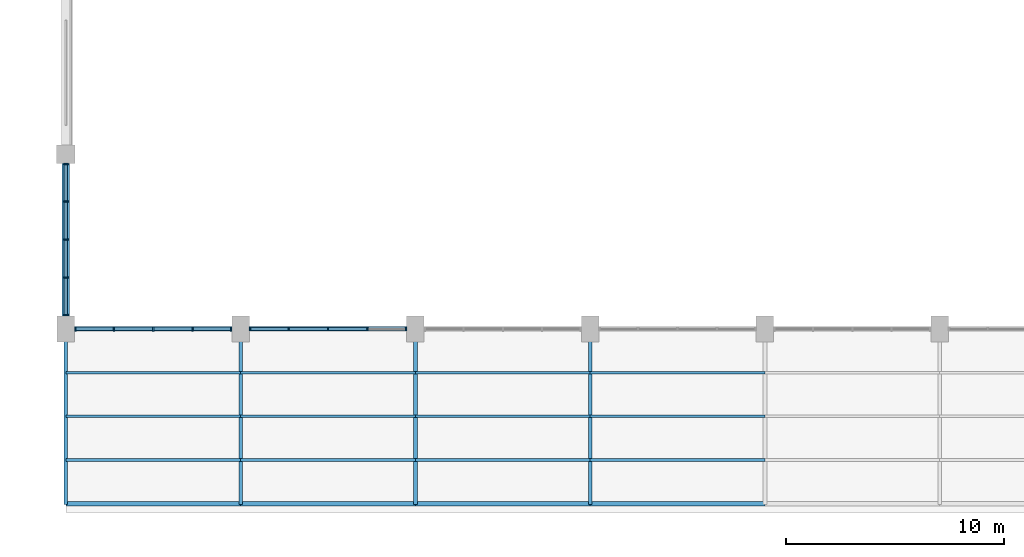
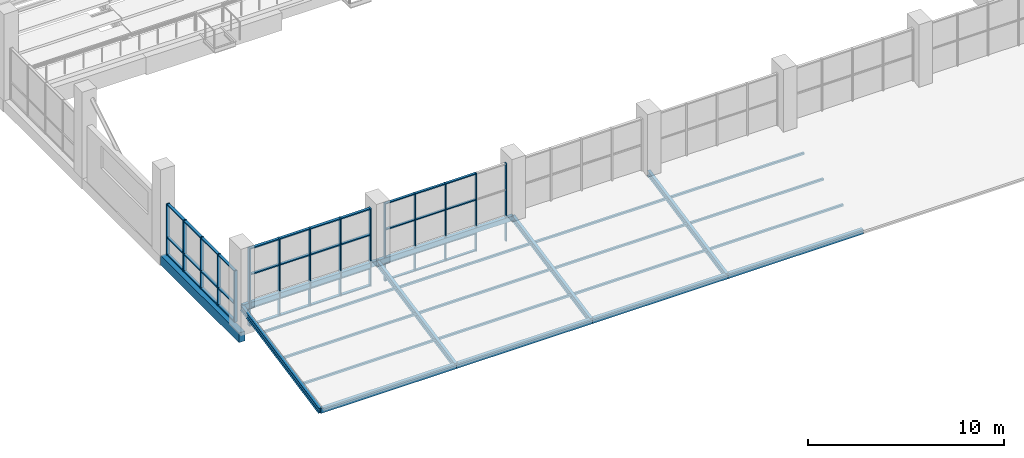
# One storey, part 9 of 122: 67 members, 11 beams, 3 elements without a shape of their own.
"""IFC4 building model written with IfcOpenShell, lengths in metres."""

from ifc_helpers import new_model, si_unit, direction, frame, origin, origin_2d, place, context, subcontext, project, spatial, rectangle, hollow_rectangle, i_section, extrude, material, material_profile, profile_set, type_object, element, aggregate, save


model = new_model("IFC4")

# Units and contexts
model_context = context("Model", 3, precision=1e-05, world=origin(), true_north=direction((0.0, 1.0)))
body_context = subcontext(model_context, "Body", "Model", "MODEL_VIEW")
ifc_project = project(units=[si_unit("LENGTHUNIT", "METRE"), si_unit("AREAUNIT", "SQUARE_METRE"), si_unit("VOLUMEUNIT", "CUBIC_METRE"), si_unit("PLANEANGLEUNIT", "RADIAN"), si_unit("MASSUNIT", "GRAM", prefix="KILO")], contexts=[model_context])

# Site, building, storey
site_placement = place(None, origin())
site = spatial("IfcSite", under=ifc_project, at=site_placement, CompositionType="ELEMENT")
building_placement = place(site_placement, origin())
building = spatial("IfcBuilding", under=site, at=building_placement, Name="Tenunan Teduh Sports Hall", CompositionType="ELEMENT")
storey_placement = place(building_placement, frame((0.0, 0.0, 5.39990234375)))
storey = spatial("IfcBuildingStorey", under=building, at=storey_placement, Name="L01", CompositionType="ELEMENT", Elevation=5.39990234375)

# Beam
ifc_material_1 = material(Name="Concrete C40/50", Category="concrete")
ifc_material_profile_1 = material_profile(ifc_material_1, rectangle(XDim=0.35009765625, YDim=0.60009765625, at=origin_2d()), Name="RCB 350x600")
ifc_profile_set_1 = profile_set([ifc_material_profile_1], Name="Concrete C40/50")
beam_type_1 = type_object("IfcBeamType", Name="BM-RC-350x600", PredefinedType="BEAM", material=ifc_profile_set_1)
beam_placement = place(storey_placement, frame((6.0, 14.0, -0.559814453125), z_axis=(0.0, 1.0, 0.0), x_axis=(-1.0, 0.0, 0.0)))
element("IfcBeam", 1, at=beam_placement, inside=storey, type_object=beam_type_1, Name="BM-B-04-L01-1185", PredefinedType="BEAM", context=body_context, shape_type="SweptSolid", body=[
    extrude(rectangle(XDim=0.35009765625, YDim=0.60009765625, at=origin_2d()), origin(), (0.0, 0.0, 1.0), 8.0),
])

# Curtain wall, members
ifc_material_2 = material(Name="Anodised aluminium", Category="aluminium")
curtain_wall_type = type_object("IfcCurtainWallType", Name="CW-UNIT-1", PredefinedType="NOTDEFINED", material=ifc_material_2)
curtain_wall_1_placement = place(storey_placement, origin())
curtain_wall_1 = element("IfcCurtainWall", 2, at=curtain_wall_1_placement, inside=storey, type_object=curtain_wall_type, Name="CW-CWM-175-L01-042", PredefinedType="NOTDEFINED")
ifc_material_3 = material(Name="Anodised aluminium", Category="aluminium")
ifc_material_profile_2 = material_profile(ifc_material_3, rectangle(XDim=0.06494140625, YDim=0.175048828125, at=origin_2d()), Name="CWM 65x175")
ifc_profile_set_2 = profile_set([ifc_material_profile_2], Name="Anodised aluminium")
member_type_1 = type_object("IfcMemberType", Name="CWM-175", PredefinedType="MULLION", material=ifc_profile_set_2)
member_1_placement = place(storey_placement, frame((14.4326171875, 14.0, 0.0), z_axis=(0.0, 0.0, 1.0), x_axis=(1.0, 0.0, 0.0)))
member_1 = element("IfcMember", 3, at=member_1_placement, type_object=member_type_1, Name="CW-01 mullion 1", PredefinedType="MULLION", context=body_context, shape_type="SweptSolid", body=[
    extrude(rectangle(XDim=0.06494140625, YDim=0.175048828125, at=origin_2d()), origin(), (0.0, 0.0, 1.0), 4.85009765625),
])
member_2_placement = place(storey_placement, frame((16.199951171875, 14.0, 0.0), z_axis=(0.0, 0.0, 1.0), x_axis=(1.0, 0.0, 0.0)))
member_2 = element("IfcMember", 4, at=member_2_placement, type_object=member_type_1, Name="CW-01 mullion 2", PredefinedType="MULLION", context=body_context, shape_type="SweptSolid", body=[
    extrude(rectangle(XDim=0.06494140625, YDim=0.175048828125, at=origin_2d()), origin(), (0.0, 0.0, 1.0), 4.85009765625),
])
member_3_placement = place(storey_placement, frame((18.0, 14.0, 0.0), z_axis=(0.0, 0.0, 1.0), x_axis=(1.0, 0.0, 0.0)))
member_3 = element("IfcMember", 5, at=member_3_placement, type_object=member_type_1, Name="CW-01 mullion 3", PredefinedType="MULLION", context=body_context, shape_type="SweptSolid", body=[
    extrude(rectangle(XDim=0.06494140625, YDim=0.175048828125, at=origin_2d()), origin(), (0.0, 0.0, 1.0), 4.85009765625),
])
member_4_placement = place(storey_placement, frame((19.800048828125, 14.0, 0.0), z_axis=(0.0, 0.0, 1.0), x_axis=(1.0, 0.0, 0.0)))
member_4 = element("IfcMember", 6, at=member_4_placement, type_object=member_type_1, Name="CW-01 mullion 4", PredefinedType="MULLION", context=body_context, shape_type="SweptSolid", body=[
    extrude(rectangle(XDim=0.06494140625, YDim=0.175048828125, at=origin_2d()), origin(), (0.0, 0.0, 1.0), 4.85009765625),
])
member_5_placement = place(storey_placement, frame((21.5673828125, 14.0, 0.0), z_axis=(0.0, 0.0, 1.0), x_axis=(1.0, 0.0, 0.0)))
member_5 = element("IfcMember", 7, at=member_5_placement, type_object=member_type_1, Name="CW-01 mullion 5", PredefinedType="MULLION", context=body_context, shape_type="SweptSolid", body=[
    extrude(rectangle(XDim=0.06494140625, YDim=0.175048828125, at=origin_2d()), origin(), (0.0, 0.0, 1.0), 4.85009765625),
])

curtain_wall_2_placement = place(storey_placement, origin())
curtain_wall_2 = element("IfcCurtainWall", 8, at=curtain_wall_2_placement, inside=storey, type_object=curtain_wall_type, Name="CW-CWM-200-L01-040", PredefinedType="NOTDEFINED")
ifc_material_4 = material(Name="Anodised aluminium", Category="aluminium")
ifc_material_profile_3 = material_profile(ifc_material_4, rectangle(XDim=0.070068359375, YDim=0.199951171875, at=origin_2d()), Name="CWM 70x200")
ifc_profile_set_3 = profile_set([ifc_material_profile_3], Name="Anodised aluminium")
member_type_2 = type_object("IfcMemberType", Name="CWM-200", PredefinedType="MULLION", material=ifc_profile_set_3)
member_6_placement = place(storey_placement, frame((6.43505859375, 14.0, 0.0), z_axis=(0.0, 0.0, 1.0), x_axis=(1.0, 0.0, 0.0)))
member_6 = element("IfcMember", 9, at=member_6_placement, type_object=member_type_2, Name="CW-01 mullion 1", PredefinedType="MULLION", context=body_context, shape_type="SweptSolid", body=[
    extrude(rectangle(XDim=0.070068359375, YDim=0.199951171875, at=origin_2d()), origin(), (0.0, 0.0, 1.0), 4.85009765625),
])
member_7_placement = place(storey_placement, frame((8.199951171875, 14.0, 0.0), z_axis=(0.0, 0.0, 1.0), x_axis=(1.0, 0.0, 0.0)))
member_7 = element("IfcMember", 10, at=member_7_placement, type_object=member_type_2, Name="CW-01 mullion 2", PredefinedType="MULLION", context=body_context, shape_type="SweptSolid", body=[
    extrude(rectangle(XDim=0.070068359375, YDim=0.199951171875, at=origin_2d()), origin(), (0.0, 0.0, 1.0), 4.85009765625),
])
member_8_placement = place(storey_placement, frame((10.0, 14.0, 0.0), z_axis=(0.0, 0.0, 1.0), x_axis=(1.0, 0.0, 0.0)))
member_8 = element("IfcMember", 11, at=member_8_placement, type_object=member_type_2, Name="CW-01 mullion 3", PredefinedType="MULLION", context=body_context, shape_type="SweptSolid", body=[
    extrude(rectangle(XDim=0.070068359375, YDim=0.199951171875, at=origin_2d()), origin(), (0.0, 0.0, 1.0), 4.85009765625),
])
member_9_placement = place(storey_placement, frame((11.800048828125, 14.0, 0.0), z_axis=(0.0, 0.0, 1.0), x_axis=(1.0, 0.0, 0.0)))
member_9 = element("IfcMember", 12, at=member_9_placement, type_object=member_type_2, Name="CW-01 mullion 4", PredefinedType="MULLION", context=body_context, shape_type="SweptSolid", body=[
    extrude(rectangle(XDim=0.070068359375, YDim=0.199951171875, at=origin_2d()), origin(), (0.0, 0.0, 1.0), 4.85009765625),
])
member_10_placement = place(storey_placement, frame((13.56494140625, 14.0, 0.0), z_axis=(0.0, 0.0, 1.0), x_axis=(1.0, 0.0, 0.0)))
member_10 = element("IfcMember", 13, at=member_10_placement, type_object=member_type_2, Name="CW-01 mullion 5", PredefinedType="MULLION", context=body_context, shape_type="SweptSolid", body=[
    extrude(rectangle(XDim=0.070068359375, YDim=0.199951171875, at=origin_2d()), origin(), (0.0, 0.0, 1.0), 4.85009765625),
])

curtain_wall_3_placement = place(storey_placement, origin())
curtain_wall_3 = element("IfcCurtainWall", 14, at=curtain_wall_3_placement, inside=storey, type_object=curtain_wall_type, Name="CW-CWM-200-L01-052", PredefinedType="NOTDEFINED")
member_11_placement = place(storey_placement, frame((6.0, 14.635009765625, 0.0), z_axis=(0.0, 0.0, 1.0), x_axis=(0.0, 1.0, 0.0)))
member_11 = element("IfcMember", 15, at=member_11_placement, type_object=member_type_2, Name="CW-01 mullion 1", PredefinedType="MULLION", context=body_context, shape_type="SweptSolid", body=[
    extrude(rectangle(XDim=0.070068359375, YDim=0.199951171875, at=origin_2d()), origin(), (0.0, 0.0, 1.0), 3.2001953125),
])
member_12_placement = place(storey_placement, frame((6.0, 16.34375, 0.0), z_axis=(0.0, 0.0, 1.0), x_axis=(0.0, 1.0, 0.0)))
member_12 = element("IfcMember", 16, at=member_12_placement, type_object=member_type_2, Name="CW-01 mullion 2", PredefinedType="MULLION", context=body_context, shape_type="SweptSolid", body=[
    extrude(rectangle(XDim=0.070068359375, YDim=0.199951171875, at=origin_2d()), origin(), (0.0, 0.0, 1.0), 3.2001953125),
])
member_13_placement = place(storey_placement, frame((6.0, 18.08740234375, 0.0), z_axis=(0.0, 0.0, 1.0), x_axis=(0.0, 1.0, 0.0)))
member_13 = element("IfcMember", 17, at=member_13_placement, type_object=member_type_2, Name="CW-01 mullion 3", PredefinedType="MULLION", context=body_context, shape_type="SweptSolid", body=[
    extrude(rectangle(XDim=0.070068359375, YDim=0.199951171875, at=origin_2d()), origin(), (0.0, 0.0, 1.0), 3.2001953125),
])
member_14_placement = place(storey_placement, frame((6.0, 19.831298828125, 0.0), z_axis=(0.0, 0.0, 1.0), x_axis=(0.0, 1.0, 0.0)))
member_14 = element("IfcMember", 18, at=member_14_placement, type_object=member_type_2, Name="CW-01 mullion 4", PredefinedType="MULLION", context=body_context, shape_type="SweptSolid", body=[
    extrude(rectangle(XDim=0.070068359375, YDim=0.199951171875, at=origin_2d()), origin(), (0.0, 0.0, 1.0), 3.2001953125),
])
member_15_placement = place(storey_placement, frame((6.0, 21.5400390625, 0.0), z_axis=(0.0, 0.0, 1.0), x_axis=(0.0, 1.0, 0.0)))
member_15 = element("IfcMember", 19, at=member_15_placement, type_object=member_type_2, Name="CW-01 mullion 5", PredefinedType="MULLION", context=body_context, shape_type="SweptSolid", body=[
    extrude(rectangle(XDim=0.070068359375, YDim=0.199951171875, at=origin_2d()), origin(), (0.0, 0.0, 1.0), 3.2001953125),
])

# Member
ifc_material_5 = material(Name="Anodised aluminium", Category="aluminium")
ifc_material_profile_4 = material_profile(ifc_material_5, rectangle(XDim=0.06494140625, YDim=0.139892578125, at=origin_2d()), Name="CWT 65x140")
ifc_profile_set_4 = profile_set([ifc_material_profile_4], Name="Anodised aluminium")
member_type_3 = type_object("IfcMemberType", Name="CWT-150", PredefinedType="USERDEFINED", material=ifc_profile_set_4)
member_16_placement = place(storey_placement, frame((14.465087890625, 14.0, 0.03271484375), z_axis=(1.0, 0.0, 0.0), x_axis=(0.0, 0.0, 1.0)))
member_16 = element("IfcMember", 20, at=member_16_placement, type_object=member_type_3, Name="CW-01 transom 1.1", ObjectType="TRANSOM", PredefinedType="USERDEFINED", context=body_context, shape_type="SweptSolid", body=[
    extrude(rectangle(XDim=0.06494140625, YDim=0.139892578125, at=origin_2d()), origin(), (0.0, 0.0, 1.0), 1.702392578125),
])

member_17_placement = place(storey_placement, frame((14.465087890625, 14.0, 1.10009765625), z_axis=(1.0, 0.0, 0.0), x_axis=(0.0, 0.0, 1.0)))
member_17 = element("IfcMember", 21, at=member_17_placement, type_object=member_type_3, Name="CW-01 transom 1.2", ObjectType="TRANSOM", PredefinedType="USERDEFINED", context=body_context, shape_type="SweptSolid", body=[
    extrude(rectangle(XDim=0.06494140625, YDim=0.139892578125, at=origin_2d()), origin(), (0.0, 0.0, 1.0), 1.702392578125),
])

member_18_placement = place(storey_placement, frame((14.465087890625, 14.0, 3.2001953125), z_axis=(1.0, 0.0, 0.0), x_axis=(0.0, 0.0, 1.0)))
member_18 = element("IfcMember", 22, at=member_18_placement, type_object=member_type_3, Name="CW-01 transom 1.3", ObjectType="TRANSOM", PredefinedType="USERDEFINED", context=body_context, shape_type="SweptSolid", body=[
    extrude(rectangle(XDim=0.06494140625, YDim=0.139892578125, at=origin_2d()), origin(), (0.0, 0.0, 1.0), 1.702392578125),
])

member_19_placement = place(storey_placement, frame((14.465087890625, 14.0, 4.817626953125), z_axis=(1.0, 0.0, 0.0), x_axis=(0.0, 0.0, 1.0)))
member_19 = element("IfcMember", 23, at=member_19_placement, type_object=member_type_3, Name="CW-01 transom 1.4", ObjectType="TRANSOM", PredefinedType="USERDEFINED", context=body_context, shape_type="SweptSolid", body=[
    extrude(rectangle(XDim=0.06494140625, YDim=0.139892578125, at=origin_2d()), origin(), (0.0, 0.0, 1.0), 1.702392578125),
])

member_20_placement = place(storey_placement, frame((16.232421875, 14.0, 0.03271484375), z_axis=(1.0, 0.0, 0.0), x_axis=(0.0, 0.0, 1.0)))
member_20 = element("IfcMember", 24, at=member_20_placement, type_object=member_type_3, Name="CW-01 transom 2.1", ObjectType="TRANSOM", PredefinedType="USERDEFINED", context=body_context, shape_type="SweptSolid", body=[
    extrude(rectangle(XDim=0.06494140625, YDim=0.139892578125, at=origin_2d()), origin(), (0.0, 0.0, 1.0), 1.735107421875),
])

member_21_placement = place(storey_placement, frame((16.232421875, 14.0, 1.10009765625), z_axis=(1.0, 0.0, 0.0), x_axis=(0.0, 0.0, 1.0)))
member_21 = element("IfcMember", 25, at=member_21_placement, type_object=member_type_3, Name="CW-01 transom 2.2", ObjectType="TRANSOM", PredefinedType="USERDEFINED", context=body_context, shape_type="SweptSolid", body=[
    extrude(rectangle(XDim=0.06494140625, YDim=0.139892578125, at=origin_2d()), origin(), (0.0, 0.0, 1.0), 1.735107421875),
])

member_22_placement = place(storey_placement, frame((16.232421875, 14.0, 3.2001953125), z_axis=(1.0, 0.0, 0.0), x_axis=(0.0, 0.0, 1.0)))
member_22 = element("IfcMember", 26, at=member_22_placement, type_object=member_type_3, Name="CW-01 transom 2.3", ObjectType="TRANSOM", PredefinedType="USERDEFINED", context=body_context, shape_type="SweptSolid", body=[
    extrude(rectangle(XDim=0.06494140625, YDim=0.139892578125, at=origin_2d()), origin(), (0.0, 0.0, 1.0), 1.735107421875),
])

member_23_placement = place(storey_placement, frame((16.232421875, 14.0, 4.817626953125), z_axis=(1.0, 0.0, 0.0), x_axis=(0.0, 0.0, 1.0)))
member_23 = element("IfcMember", 27, at=member_23_placement, type_object=member_type_3, Name="CW-01 transom 2.4", ObjectType="TRANSOM", PredefinedType="USERDEFINED", context=body_context, shape_type="SweptSolid", body=[
    extrude(rectangle(XDim=0.06494140625, YDim=0.139892578125, at=origin_2d()), origin(), (0.0, 0.0, 1.0), 1.735107421875),
])

member_24_placement = place(storey_placement, frame((18.032470703125, 14.0, 0.03271484375), z_axis=(1.0, 0.0, 0.0), x_axis=(0.0, 0.0, 1.0)))
member_24 = element("IfcMember", 28, at=member_24_placement, type_object=member_type_3, Name="CW-01 transom 3.1", ObjectType="TRANSOM", PredefinedType="USERDEFINED", context=body_context, shape_type="SweptSolid", body=[
    extrude(rectangle(XDim=0.06494140625, YDim=0.139892578125, at=origin_2d()), origin(), (0.0, 0.0, 1.0), 1.735107421875),
])

member_25_placement = place(storey_placement, frame((18.032470703125, 14.0, 1.10009765625), z_axis=(1.0, 0.0, 0.0), x_axis=(0.0, 0.0, 1.0)))
member_25 = element("IfcMember", 29, at=member_25_placement, type_object=member_type_3, Name="CW-01 transom 3.2", ObjectType="TRANSOM", PredefinedType="USERDEFINED", context=body_context, shape_type="SweptSolid", body=[
    extrude(rectangle(XDim=0.06494140625, YDim=0.139892578125, at=origin_2d()), origin(), (0.0, 0.0, 1.0), 1.735107421875),
])

member_26_placement = place(storey_placement, frame((18.032470703125, 14.0, 3.2001953125), z_axis=(1.0, 0.0, 0.0), x_axis=(0.0, 0.0, 1.0)))
member_26 = element("IfcMember", 30, at=member_26_placement, type_object=member_type_3, Name="CW-01 transom 3.3", ObjectType="TRANSOM", PredefinedType="USERDEFINED", context=body_context, shape_type="SweptSolid", body=[
    extrude(rectangle(XDim=0.06494140625, YDim=0.139892578125, at=origin_2d()), origin(), (0.0, 0.0, 1.0), 1.735107421875),
])

member_27_placement = place(storey_placement, frame((18.032470703125, 14.0, 4.817626953125), z_axis=(1.0, 0.0, 0.0), x_axis=(0.0, 0.0, 1.0)))
member_27 = element("IfcMember", 31, at=member_27_placement, type_object=member_type_3, Name="CW-01 transom 3.4", ObjectType="TRANSOM", PredefinedType="USERDEFINED", context=body_context, shape_type="SweptSolid", body=[
    extrude(rectangle(XDim=0.06494140625, YDim=0.139892578125, at=origin_2d()), origin(), (0.0, 0.0, 1.0), 1.735107421875),
])

aggregate(curtain_wall_1, [member_1, member_2, member_3, member_4, member_5, member_16, member_17, member_18, member_19, member_20, member_21, member_22, member_23, member_24, member_25, member_26, member_27])

ifc_material_6 = material(Name="Anodised aluminium", Category="aluminium")
ifc_material_profile_5 = material_profile(ifc_material_6, rectangle(XDim=0.070068359375, YDim=0.159912109375, at=origin_2d()), Name="CWT 70x160")
ifc_profile_set_5 = profile_set([ifc_material_profile_5], Name="Anodised aluminium")
member_type_4 = type_object("IfcMemberType", Name="CWT-200", PredefinedType="USERDEFINED", material=ifc_profile_set_5)
member_28_placement = place(storey_placement, frame((6.469970703125, 14.0, 0.03515625), z_axis=(1.0, 0.0, 0.0), x_axis=(0.0, 0.0, 1.0)))
member_28 = element("IfcMember", 32, at=member_28_placement, type_object=member_type_4, Name="CW-01 transom 1.1", ObjectType="TRANSOM", PredefinedType="USERDEFINED", context=body_context, shape_type="SweptSolid", body=[
    extrude(rectangle(XDim=0.070068359375, YDim=0.159912109375, at=origin_2d()), origin(), (0.0, 0.0, 1.0), 1.695068359375),
])

member_29_placement = place(storey_placement, frame((6.469970703125, 14.0, 1.10009765625), z_axis=(1.0, 0.0, 0.0), x_axis=(0.0, 0.0, 1.0)))
member_29 = element("IfcMember", 33, at=member_29_placement, type_object=member_type_4, Name="CW-01 transom 1.2", ObjectType="TRANSOM", PredefinedType="USERDEFINED", context=body_context, shape_type="SweptSolid", body=[
    extrude(rectangle(XDim=0.070068359375, YDim=0.159912109375, at=origin_2d()), origin(), (0.0, 0.0, 1.0), 1.695068359375),
])

member_30_placement = place(storey_placement, frame((6.469970703125, 14.0, 3.2001953125), z_axis=(1.0, 0.0, 0.0), x_axis=(0.0, 0.0, 1.0)))
member_30 = element("IfcMember", 34, at=member_30_placement, type_object=member_type_4, Name="CW-01 transom 1.3", ObjectType="TRANSOM", PredefinedType="USERDEFINED", context=body_context, shape_type="SweptSolid", body=[
    extrude(rectangle(XDim=0.070068359375, YDim=0.159912109375, at=origin_2d()), origin(), (0.0, 0.0, 1.0), 1.695068359375),
])

member_31_placement = place(storey_placement, frame((6.469970703125, 14.0, 4.815185546875), z_axis=(1.0, 0.0, 0.0), x_axis=(0.0, 0.0, 1.0)))
member_31 = element("IfcMember", 35, at=member_31_placement, type_object=member_type_4, Name="CW-01 transom 1.4", ObjectType="TRANSOM", PredefinedType="USERDEFINED", context=body_context, shape_type="SweptSolid", body=[
    extrude(rectangle(XDim=0.070068359375, YDim=0.159912109375, at=origin_2d()), origin(), (0.0, 0.0, 1.0), 1.695068359375),
])

member_32_placement = place(storey_placement, frame((8.235107421875, 14.0, 0.03515625), z_axis=(1.0, 0.0, 0.0), x_axis=(0.0, 0.0, 1.0)))
member_32 = element("IfcMember", 36, at=member_32_placement, type_object=member_type_4, Name="CW-01 transom 2.1", ObjectType="TRANSOM", PredefinedType="USERDEFINED", context=body_context, shape_type="SweptSolid", body=[
    extrude(rectangle(XDim=0.070068359375, YDim=0.159912109375, at=origin_2d()), origin(), (0.0, 0.0, 1.0), 1.72998046875),
])

member_33_placement = place(storey_placement, frame((8.235107421875, 14.0, 1.10009765625), z_axis=(1.0, 0.0, 0.0), x_axis=(0.0, 0.0, 1.0)))
member_33 = element("IfcMember", 37, at=member_33_placement, type_object=member_type_4, Name="CW-01 transom 2.2", ObjectType="TRANSOM", PredefinedType="USERDEFINED", context=body_context, shape_type="SweptSolid", body=[
    extrude(rectangle(XDim=0.070068359375, YDim=0.159912109375, at=origin_2d()), origin(), (0.0, 0.0, 1.0), 1.72998046875),
])

member_34_placement = place(storey_placement, frame((8.235107421875, 14.0, 3.2001953125), z_axis=(1.0, 0.0, 0.0), x_axis=(0.0, 0.0, 1.0)))
member_34 = element("IfcMember", 38, at=member_34_placement, type_object=member_type_4, Name="CW-01 transom 2.3", ObjectType="TRANSOM", PredefinedType="USERDEFINED", context=body_context, shape_type="SweptSolid", body=[
    extrude(rectangle(XDim=0.070068359375, YDim=0.159912109375, at=origin_2d()), origin(), (0.0, 0.0, 1.0), 1.72998046875),
])

member_35_placement = place(storey_placement, frame((8.235107421875, 14.0, 4.815185546875), z_axis=(1.0, 0.0, 0.0), x_axis=(0.0, 0.0, 1.0)))
member_35 = element("IfcMember", 39, at=member_35_placement, type_object=member_type_4, Name="CW-01 transom 2.4", ObjectType="TRANSOM", PredefinedType="USERDEFINED", context=body_context, shape_type="SweptSolid", body=[
    extrude(rectangle(XDim=0.070068359375, YDim=0.159912109375, at=origin_2d()), origin(), (0.0, 0.0, 1.0), 1.72998046875),
])

member_36_placement = place(storey_placement, frame((10.034912109375, 14.0, 0.03515625), z_axis=(1.0, 0.0, 0.0), x_axis=(0.0, 0.0, 1.0)))
member_36 = element("IfcMember", 40, at=member_36_placement, type_object=member_type_4, Name="CW-01 transom 3.1", ObjectType="TRANSOM", PredefinedType="USERDEFINED", context=body_context, shape_type="SweptSolid", body=[
    extrude(rectangle(XDim=0.070068359375, YDim=0.159912109375, at=origin_2d()), origin(), (0.0, 0.0, 1.0), 1.72998046875),
])

member_37_placement = place(storey_placement, frame((10.034912109375, 14.0, 1.10009765625), z_axis=(1.0, 0.0, 0.0), x_axis=(0.0, 0.0, 1.0)))
member_37 = element("IfcMember", 41, at=member_37_placement, type_object=member_type_4, Name="CW-01 transom 3.2", ObjectType="TRANSOM", PredefinedType="USERDEFINED", context=body_context, shape_type="SweptSolid", body=[
    extrude(rectangle(XDim=0.070068359375, YDim=0.159912109375, at=origin_2d()), origin(), (0.0, 0.0, 1.0), 1.72998046875),
])

member_38_placement = place(storey_placement, frame((10.034912109375, 14.0, 3.2001953125), z_axis=(1.0, 0.0, 0.0), x_axis=(0.0, 0.0, 1.0)))
member_38 = element("IfcMember", 42, at=member_38_placement, type_object=member_type_4, Name="CW-01 transom 3.3", ObjectType="TRANSOM", PredefinedType="USERDEFINED", context=body_context, shape_type="SweptSolid", body=[
    extrude(rectangle(XDim=0.070068359375, YDim=0.159912109375, at=origin_2d()), origin(), (0.0, 0.0, 1.0), 1.72998046875),
])

member_39_placement = place(storey_placement, frame((10.034912109375, 14.0, 4.815185546875), z_axis=(1.0, 0.0, 0.0), x_axis=(0.0, 0.0, 1.0)))
member_39 = element("IfcMember", 43, at=member_39_placement, type_object=member_type_4, Name="CW-01 transom 3.4", ObjectType="TRANSOM", PredefinedType="USERDEFINED", context=body_context, shape_type="SweptSolid", body=[
    extrude(rectangle(XDim=0.070068359375, YDim=0.159912109375, at=origin_2d()), origin(), (0.0, 0.0, 1.0), 1.72998046875),
])

member_40_placement = place(storey_placement, frame((11.8349609375, 14.0, 0.03515625), z_axis=(1.0, 0.0, 0.0), x_axis=(0.0, 0.0, 1.0)))
member_40 = element("IfcMember", 44, at=member_40_placement, type_object=member_type_4, Name="CW-01 transom 4.1", ObjectType="TRANSOM", PredefinedType="USERDEFINED", context=body_context, shape_type="SweptSolid", body=[
    extrude(rectangle(XDim=0.070068359375, YDim=0.159912109375, at=origin_2d()), origin(), (0.0, 0.0, 1.0), 1.695068359375),
])

member_41_placement = place(storey_placement, frame((11.8349609375, 14.0, 1.10009765625), z_axis=(1.0, 0.0, 0.0), x_axis=(0.0, 0.0, 1.0)))
member_41 = element("IfcMember", 45, at=member_41_placement, type_object=member_type_4, Name="CW-01 transom 4.2", ObjectType="TRANSOM", PredefinedType="USERDEFINED", context=body_context, shape_type="SweptSolid", body=[
    extrude(rectangle(XDim=0.070068359375, YDim=0.159912109375, at=origin_2d()), origin(), (0.0, 0.0, 1.0), 1.695068359375),
])

member_42_placement = place(storey_placement, frame((11.8349609375, 14.0, 3.2001953125), z_axis=(1.0, 0.0, 0.0), x_axis=(0.0, 0.0, 1.0)))
member_42 = element("IfcMember", 46, at=member_42_placement, type_object=member_type_4, Name="CW-01 transom 4.3", ObjectType="TRANSOM", PredefinedType="USERDEFINED", context=body_context, shape_type="SweptSolid", body=[
    extrude(rectangle(XDim=0.070068359375, YDim=0.159912109375, at=origin_2d()), origin(), (0.0, 0.0, 1.0), 1.695068359375),
])

member_43_placement = place(storey_placement, frame((11.8349609375, 14.0, 4.815185546875), z_axis=(1.0, 0.0, 0.0), x_axis=(0.0, 0.0, 1.0)))
member_43 = element("IfcMember", 47, at=member_43_placement, type_object=member_type_4, Name="CW-01 transom 4.4", ObjectType="TRANSOM", PredefinedType="USERDEFINED", context=body_context, shape_type="SweptSolid", body=[
    extrude(rectangle(XDim=0.070068359375, YDim=0.159912109375, at=origin_2d()), origin(), (0.0, 0.0, 1.0), 1.695068359375),
])

aggregate(curtain_wall_2, [member_6, member_7, member_8, member_9, member_10, member_28, member_29, member_30, member_31, member_32, member_33, member_34, member_35, member_36, member_37, member_38, member_39, member_40, member_41, member_42, member_43])

member_44_placement = place(storey_placement, frame((6.0, 14.669921875, 0.03515625), z_axis=(0.0, 1.0, 0.0), x_axis=(0.0, 0.0, 1.0)))
member_44 = element("IfcMember", 48, at=member_44_placement, type_object=member_type_4, Name="CW-01 transom 1.1", ObjectType="TRANSOM", PredefinedType="USERDEFINED", context=body_context, shape_type="SweptSolid", body=[
    extrude(rectangle(XDim=0.070068359375, YDim=0.159912109375, at=origin_2d()), origin(), (0.0, 0.0, 1.0), 1.638916015625),
])

member_45_placement = place(storey_placement, frame((6.0, 14.669921875, 1.10009765625), z_axis=(0.0, 1.0, 0.0), x_axis=(0.0, 0.0, 1.0)))
member_45 = element("IfcMember", 49, at=member_45_placement, type_object=member_type_4, Name="CW-01 transom 1.2", ObjectType="TRANSOM", PredefinedType="USERDEFINED", context=body_context, shape_type="SweptSolid", body=[
    extrude(rectangle(XDim=0.070068359375, YDim=0.159912109375, at=origin_2d()), origin(), (0.0, 0.0, 1.0), 1.638916015625),
])

member_46_placement = place(storey_placement, frame((6.0, 14.669921875, 3.1650390625), z_axis=(0.0, 1.0, 0.0), x_axis=(0.0, 0.0, 1.0)))
member_46 = element("IfcMember", 50, at=member_46_placement, type_object=member_type_4, Name="CW-01 transom 1.3", ObjectType="TRANSOM", PredefinedType="USERDEFINED", context=body_context, shape_type="SweptSolid", body=[
    extrude(rectangle(XDim=0.070068359375, YDim=0.159912109375, at=origin_2d()), origin(), (0.0, 0.0, 1.0), 1.638916015625),
])

member_47_placement = place(storey_placement, frame((6.0, 16.378662109375, 0.03515625), z_axis=(0.0, 1.0, 0.0), x_axis=(0.0, 0.0, 1.0)))
member_47 = element("IfcMember", 51, at=member_47_placement, type_object=member_type_4, Name="CW-01 transom 2.1", ObjectType="TRANSOM", PredefinedType="USERDEFINED", context=body_context, shape_type="SweptSolid", body=[
    extrude(rectangle(XDim=0.070068359375, YDim=0.159912109375, at=origin_2d()), origin(), (0.0, 0.0, 1.0), 1.673828125),
])

member_48_placement = place(storey_placement, frame((6.0, 16.378662109375, 1.10009765625), z_axis=(0.0, 1.0, 0.0), x_axis=(0.0, 0.0, 1.0)))
member_48 = element("IfcMember", 52, at=member_48_placement, type_object=member_type_4, Name="CW-01 transom 2.2", ObjectType="TRANSOM", PredefinedType="USERDEFINED", context=body_context, shape_type="SweptSolid", body=[
    extrude(rectangle(XDim=0.070068359375, YDim=0.159912109375, at=origin_2d()), origin(), (0.0, 0.0, 1.0), 1.673828125),
])

member_49_placement = place(storey_placement, frame((6.0, 16.378662109375, 3.1650390625), z_axis=(0.0, 1.0, 0.0), x_axis=(0.0, 0.0, 1.0)))
member_49 = element("IfcMember", 53, at=member_49_placement, type_object=member_type_4, Name="CW-01 transom 2.3", ObjectType="TRANSOM", PredefinedType="USERDEFINED", context=body_context, shape_type="SweptSolid", body=[
    extrude(rectangle(XDim=0.070068359375, YDim=0.159912109375, at=origin_2d()), origin(), (0.0, 0.0, 1.0), 1.673828125),
])

member_50_placement = place(storey_placement, frame((6.0, 18.12255859375, 0.03515625), z_axis=(0.0, 1.0, 0.0), x_axis=(0.0, 0.0, 1.0)))
member_50 = element("IfcMember", 54, at=member_50_placement, type_object=member_type_4, Name="CW-01 transom 3.1", ObjectType="TRANSOM", PredefinedType="USERDEFINED", context=body_context, shape_type="SweptSolid", body=[
    extrude(rectangle(XDim=0.070068359375, YDim=0.159912109375, at=origin_2d()), origin(), (0.0, 0.0, 1.0), 1.673583984375),
])

member_51_placement = place(storey_placement, frame((6.0, 18.12255859375, 1.10009765625), z_axis=(0.0, 1.0, 0.0), x_axis=(0.0, 0.0, 1.0)))
member_51 = element("IfcMember", 55, at=member_51_placement, type_object=member_type_4, Name="CW-01 transom 3.2", ObjectType="TRANSOM", PredefinedType="USERDEFINED", context=body_context, shape_type="SweptSolid", body=[
    extrude(rectangle(XDim=0.070068359375, YDim=0.159912109375, at=origin_2d()), origin(), (0.0, 0.0, 1.0), 1.673583984375),
])

member_52_placement = place(storey_placement, frame((6.0, 18.12255859375, 3.1650390625), z_axis=(0.0, 1.0, 0.0), x_axis=(0.0, 0.0, 1.0)))
member_52 = element("IfcMember", 56, at=member_52_placement, type_object=member_type_4, Name="CW-01 transom 3.3", ObjectType="TRANSOM", PredefinedType="USERDEFINED", context=body_context, shape_type="SweptSolid", body=[
    extrude(rectangle(XDim=0.070068359375, YDim=0.159912109375, at=origin_2d()), origin(), (0.0, 0.0, 1.0), 1.673583984375),
])

member_53_placement = place(storey_placement, frame((6.0, 19.8662109375, 0.03515625), z_axis=(0.0, 1.0, 0.0), x_axis=(0.0, 0.0, 1.0)))
member_53 = element("IfcMember", 57, at=member_53_placement, type_object=member_type_4, Name="CW-01 transom 4.1", ObjectType="TRANSOM", PredefinedType="USERDEFINED", context=body_context, shape_type="SweptSolid", body=[
    extrude(rectangle(XDim=0.070068359375, YDim=0.159912109375, at=origin_2d()), origin(), (0.0, 0.0, 1.0), 1.638671875),
])

member_54_placement = place(storey_placement, frame((6.0, 19.8662109375, 1.10009765625), z_axis=(0.0, 1.0, 0.0), x_axis=(0.0, 0.0, 1.0)))
member_54 = element("IfcMember", 58, at=member_54_placement, type_object=member_type_4, Name="CW-01 transom 4.2", ObjectType="TRANSOM", PredefinedType="USERDEFINED", context=body_context, shape_type="SweptSolid", body=[
    extrude(rectangle(XDim=0.070068359375, YDim=0.159912109375, at=origin_2d()), origin(), (0.0, 0.0, 1.0), 1.638671875),
])

member_55_placement = place(storey_placement, frame((6.0, 19.8662109375, 3.1650390625), z_axis=(0.0, 1.0, 0.0), x_axis=(0.0, 0.0, 1.0)))
member_55 = element("IfcMember", 59, at=member_55_placement, type_object=member_type_4, Name="CW-01 transom 4.3", ObjectType="TRANSOM", PredefinedType="USERDEFINED", context=body_context, shape_type="SweptSolid", body=[
    extrude(rectangle(XDim=0.070068359375, YDim=0.159912109375, at=origin_2d()), origin(), (0.0, 0.0, 1.0), 1.638671875),
])

aggregate(curtain_wall_3, [member_11, member_12, member_13, member_14, member_15, member_44, member_45, member_46, member_47, member_48, member_49, member_50, member_51, member_52, member_53, member_54, member_55])

# Members
ifc_material_7 = material(Name="Steel S355", Category="steel")
ifc_material_profile_6 = material_profile(ifc_material_7, hollow_rectangle(XDim=0.1201171875, YDim=0.1201171875, WallThickness=0.00634765625, at=origin_2d()), Name="SHS 120x120x6.3")
ifc_profile_set_6 = profile_set([ifc_material_profile_6], Name="Steel S355")
member_type_5 = type_object("IfcMemberType", Name="MEM-PR-SHS120", PredefinedType="PURLIN", material=ifc_profile_set_6)
for number, where, z_axis, x_axis, name in (
    (60, (6.003662109375, 8.0, 0.1201171875), (1.0, 0.0, 0.0), (0.0, 1.0, 0.0), "MEM-PR-02-L01-0932"),
    (61, (6.003662109375, 10.0, 0.52001953125), (1.0, 0.0, 0.0), (0.0, 1.0, 0.0), "MEM-PR-02-L01-0933"),
    (62, (6.003662109375, 12.0, 0.920166015625), (1.0, 0.0, 0.0), (0.0, 1.0, 0.0), "MEM-PR-02-L01-0934"),
):
    element("IfcMember", number, at=place(storey_placement, frame(where, z_axis=z_axis, x_axis=x_axis)), inside=storey, type_object=member_type_5, Name=name, PredefinedType="PURLIN", context=body_context, shape_type="SweptSolid", body=[
        extrude(hollow_rectangle(XDim=0.1201171875, YDim=0.1201171875, WallThickness=0.00634765625, at=origin_2d()), origin(), (0.0, 0.0, 1.0), 7.996337890625),
    ])
for number, where, z_axis, x_axis, name in (
    (63, (14.0, 8.0, 0.1201171875), (1.0, 0.0, 0.0), (0.0, 1.0, 0.0), "MEM-PR-02-L01-0937"),
    (64, (14.0, 10.0, 0.52001953125), (1.0, 0.0, 0.0), (0.0, 1.0, 0.0), "MEM-PR-02-L01-0938"),
    (65, (14.0, 12.0, 0.920166015625), (1.0, 0.0, 0.0), (0.0, 1.0, 0.0), "MEM-PR-02-L01-0939"),
    (66, (22.0, 8.0, 0.1201171875), (1.0, 0.0, 0.0), (0.0, 1.0, 0.0), "MEM-PR-02-L01-0942"),
    (67, (22.0, 10.0, 0.52001953125), (1.0, 0.0, 0.0), (0.0, 1.0, 0.0), "MEM-PR-02-L01-0943"),
    (68, (22.0, 12.0, 0.920166015625), (1.0, 0.0, 0.0), (0.0, 1.0, 0.0), "MEM-PR-02-L01-0944"),
    (69, (30.0, 8.0, 0.1201171875), (1.0, 0.0, 0.0), (0.0, 1.0, 0.0), "MEM-PR-02-L01-0947"),
    (70, (30.0, 10.0, 0.52001953125), (1.0, 0.0, 0.0), (0.0, 1.0, 0.0), "MEM-PR-02-L01-0948"),
    (71, (30.0, 12.0, 0.920166015625), (1.0, 0.0, 0.0), (0.0, 1.0, 0.0), "MEM-PR-02-L01-0949"),
):
    element("IfcMember", number, at=place(storey_placement, frame(where, z_axis=z_axis, x_axis=x_axis)), inside=storey, type_object=member_type_5, Name=name, PredefinedType="PURLIN", context=body_context, shape_type="SweptSolid", body=[
        extrude(hollow_rectangle(XDim=0.1201171875, YDim=0.1201171875, WallThickness=0.00634765625, at=origin_2d()), origin(), (0.0, 0.0, 1.0), 8.0),
    ])

# Beams
ifc_material_8 = material(Name="Steel S355", Category="steel")
ifc_material_profile_7 = material_profile(ifc_material_8, hollow_rectangle(XDim=0.199951171875, YDim=0.300048828125, WallThickness=0.010009765625, at=origin_2d()), Name="RHS 300x200x10.0")
ifc_profile_set_7 = profile_set([ifc_material_profile_7], Name="Steel S355")
beam_type_2 = type_object("IfcBeamType", Name="RBM-RHS300", PredefinedType="BEAM", material=ifc_profile_set_7)
for number, where, z_axis, x_axis, name in (
    (72, (6.0, 6.0, -0.27978515625), (1.0, 0.0, 0.0), (0.0, 1.0, 0.0), "Perimeter Ring Beam BM-RB-03-L01-0519"),
    (73, (6.0, 14.0, 1.320068359375), (1.0, 0.0, 0.0), (0.0, 1.0, 0.0), "Perimeter Ring Beam BM-RB-03-L01-0520"),
    (74, (14.0, 6.0, -0.27978515625), (1.0, 0.0, 0.0), (0.0, 1.0, 0.0), "Perimeter Ring Beam BM-RB-03-L01-0522"),
    (75, (14.0, 14.0, 1.320068359375), (1.0, 0.0, 0.0), (0.0, 1.0, 0.0), "Perimeter Ring Beam BM-RB-03-L01-0523"),
    (76, (22.0, 6.0, -0.27978515625), (1.0, 0.0, 0.0), (0.0, 1.0, 0.0), "Perimeter Ring Beam BM-RB-03-L01-0525"),
    (77, (30.0, 6.0, -0.27978515625), (1.0, 0.0, 0.0), (0.0, 1.0, 0.0), "Perimeter Ring Beam BM-RB-03-L01-0528"),
):
    element("IfcBeam", number, at=place(storey_placement, frame(where, z_axis=z_axis, x_axis=x_axis)), inside=storey, type_object=beam_type_2, Name=name, PredefinedType="BEAM", context=body_context, shape_type="SweptSolid", body=[
        extrude(hollow_rectangle(XDim=0.199951171875, YDim=0.300048828125, WallThickness=0.010009765625, at=origin_2d()), origin(), (0.0, 0.0, 1.0), 8.0),
    ])
ifc_material_9 = material(Name="Steel S355", Category="steel")
ifc_material_profile_8 = material_profile(ifc_material_9, i_section(OverallWidth=0.17138671875, OverallDepth=0.35498046875, WebThickness=0.00732421875, FlangeThickness=0.011474609375, FilletRadius=0.01025390625, at=origin_2d()), Name="UKB 356x171x51")
ifc_profile_set_8 = profile_set([ifc_material_profile_8], Name="Steel S355")
beam_type_3 = type_object("IfcBeamType", Name="SBM-UKB356", PredefinedType="BEAM", material=ifc_profile_set_8)
for number, where, z_axis, x_axis, name in (
    (78, (6.0, 6.0, -0.2998046875), (0.0, 0.98058412843, 0.196098870654), (-1.0, 0.0, 0.0), "BM-SB-02-L01-0518"),
    (79, (14.0, 6.0, -0.2998046875), (0.0, 0.98058412843, 0.196098870654), (-1.0, 0.0, 0.0), "BM-SB-02-L01-0521"),
    (80, (22.0, 6.0, -0.2998046875), (0.0, 0.98058412843, 0.196098870654), (-1.0, 0.0, 0.0), "BM-SB-02-L01-0524"),
    (81, (30.0, 6.0, -0.2998046875), (0.0, 0.98058412843, 0.196098870654), (-1.0, 0.0, 0.0), "BM-SB-02-L01-0527"),
):
    element("IfcBeam", number, at=place(storey_placement, frame(where, z_axis=z_axis, x_axis=x_axis)), inside=storey, type_object=beam_type_3, Name=name, PredefinedType="BEAM", context=body_context, shape_type="SweptSolid", body=[
        extrude(i_section(OverallWidth=0.17138671875, OverallDepth=0.35498046875, WebThickness=0.00732421875, FlangeThickness=0.011474609375, FilletRadius=0.01025390625, at=origin_2d()), origin(), (0.0, 0.0, 1.0), 8.158447265625),
    ])

save(model, "model.ifc")
